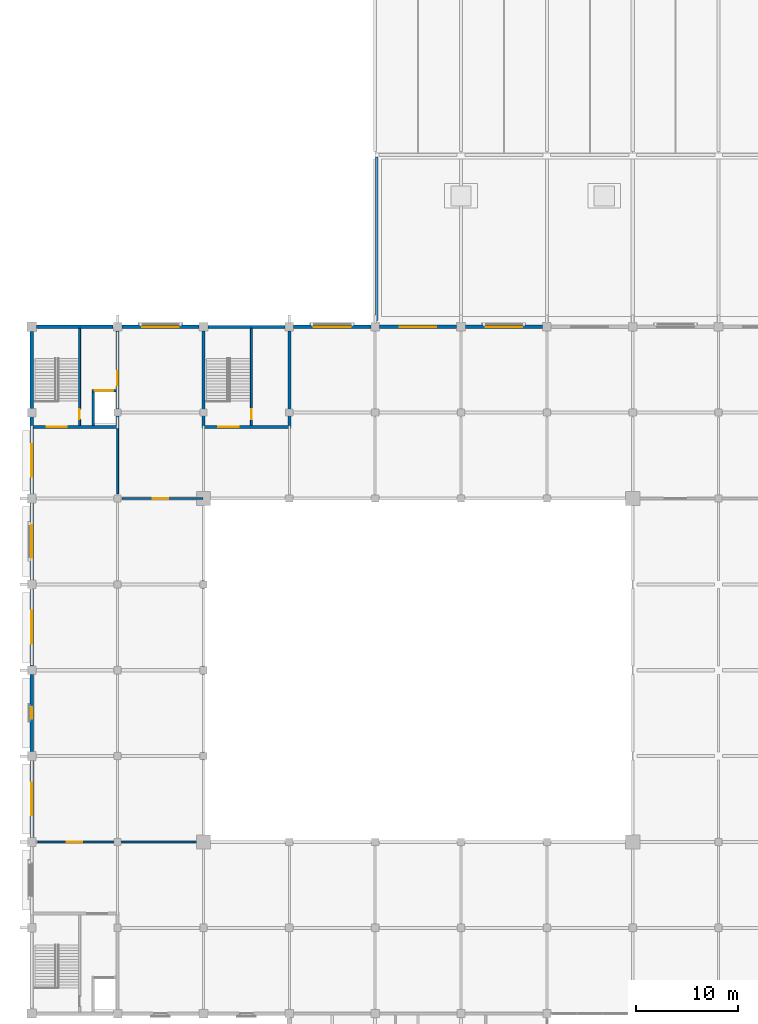
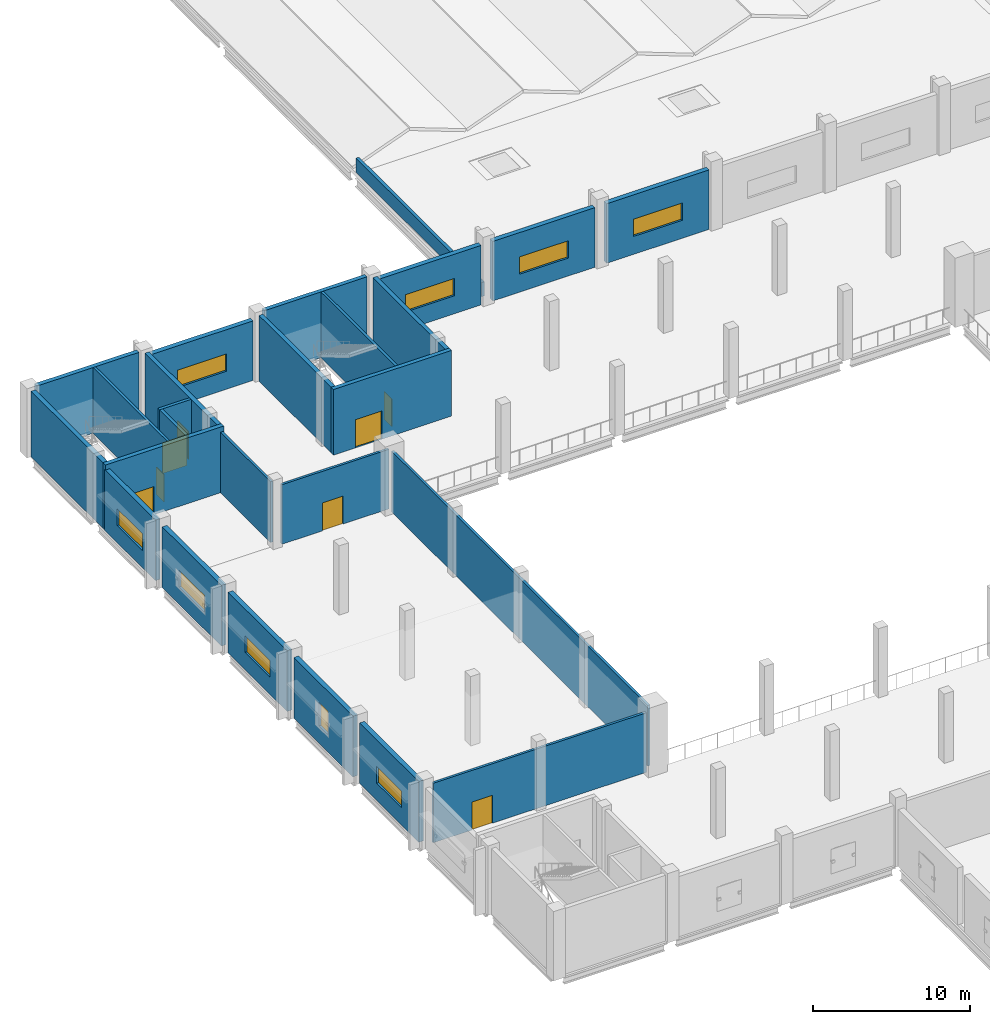
# One storey, part 54 of 72: 26 walls, 9 windows, 8 doors, 17 openings.
"""IFC4 building model written with IfcOpenShell, lengths in metres."""

from ifc_helpers import new_model, si_unit, direction, frame, frame_2d, origin, place, context, subcontext, project, spatial, rectangle, extrude, material, layer, layer_set, type_object, element, fill, save


model = new_model("IFC4")

# Units and contexts
model_context = context("Model", 3, precision=1e-05, world=origin(), true_north=direction((0.0, 1.0)))
body_context = subcontext(model_context, "Body", "Model", "MODEL_VIEW")
ifc_project = project(units=[si_unit("LENGTHUNIT", "METRE"), si_unit("AREAUNIT", "SQUARE_METRE"), si_unit("VOLUMEUNIT", "CUBIC_METRE"), si_unit("PLANEANGLEUNIT", "RADIAN"), si_unit("MASSUNIT", "GRAM", prefix="KILO")], contexts=[model_context])

# Site, building, storey
site_placement = place(None, origin())
site = spatial("IfcSite", under=ifc_project, at=site_placement, CompositionType="ELEMENT")
building_placement = place(site_placement, origin())
building = spatial("IfcBuilding", under=site, at=building_placement, Name="Qawsi Khor Wholesale Market", CompositionType="ELEMENT")
storey_placement = place(building_placement, frame((0.0, 0.0, 6.0)))
storey = spatial("IfcBuildingStorey", under=building, at=storey_placement, Name="L01", CompositionType="ELEMENT", Elevation=6.0)

# Wall, opening, door
ifc_material_1 = material(Name="Concrete C40/50", Category="concrete")
ifc_layer_1 = layer(ifc_material_1, 0.300048828125, Name="Concrete C40/50")
ifc_layer_set_1 = layer_set([ifc_layer_1], Name="Concrete C40/50")
wall_type_1 = type_object("IfcWallType", Name="Core Shear Wall RC 300 C40/50", PredefinedType="SHEAR", material=ifc_layer_set_1)
wall_1_placement = place(storey_placement, frame((25.35009765625, 99.39990234375, 0.0), z_axis=(0.0, 0.0, 1.0), x_axis=(-1.0, 0.0, 0.0)))
wall_1 = element("IfcWall", 1, at=wall_1_placement, inside=storey, type_object=wall_type_1, Name="Core C09 south shear wall L01", PredefinedType="SHEAR", context=body_context, shape_type="SweptSolid", body=[
    extrude(rectangle(XDim=8.7001953125, YDim=0.300048828125, at=frame_2d((4.35009765625, 0.0))), origin(), (0.0, 0.0, 1.0), 5.1201171875),
])
opening_1_placement = place(wall_1_placement, frame((5.1201171875, 0.0, 0.0)))
opening_1 = element("IfcOpeningElement", 2, at=opening_1_placement, cuts=wall_1, Name="Opening ID-01", PredefinedType="OPENING", context=body_context, shape_type="SweptSolid", body=[
    extrude(rectangle(XDim=1.9599609375, YDim=2.199951171875, at=frame_2d((0.97998046875, 1.10009765625))), frame((0.0, 0.159912109375, 0.0), z_axis=(0.0, -1.0, 0.0), x_axis=(1.0, 0.0, 0.0)), (0.0, 0.0, 1.0), 0.320068359375),
])
ifc_material_2 = material(Name="Steel Fire Door", Category="steel")
door_type_1 = type_object("IfcDoorType", Name="Stair & Core Fire Door 1960x2200 FD90S", OperationType="NOTDEFINED", PredefinedType="DOOR", material=ifc_material_2)
door_1_placement = place(opening_1_placement, origin())
door_1 = element("IfcDoor", 3, at=door_1_placement, inside=storey, type_object=door_type_1, Name="Core C09 fire door L01", OperationType="DOUBLE_DOOR_SINGLE_SWING", OverallHeight=2.199951171875, OverallWidth=1.9599609375, PredefinedType="DOOR", context=body_context, shape_type="SweptSolid", body=[
    extrude(rectangle(XDim=1.9599609375, YDim=2.199951171875, at=frame_2d((0.97998046875, 1.10009765625))), frame((0.0, 0.02490234375, 0.0), z_axis=(0.0, -1.0, 0.0), x_axis=(1.0, 0.0, 0.0)), (0.0, 0.0, 1.0), 0.050048828125),
])
fill(opening_1, door_1)

# Walls
wall_2_placement = place(storey_placement, frame((16.800048828125, 99.550048828125, 0.0), z_axis=(0.0, 0.0, 1.0), x_axis=(0.0, 1.0, 0.0)))
element("IfcWall", 4, at=wall_2_placement, inside=storey, type_object=wall_type_1, Name="Core C09 west shear wall L01", PredefinedType="SHEAR", context=body_context, shape_type="SweptSolid", body=[
    extrude(rectangle(XDim=9.219970703125, YDim=0.300048828125, at=frame_2d((4.60986328125, 0.0))), origin(), (0.0, 0.0, 1.0), 5.1201171875),
])
wall_3_placement = place(storey_placement, frame((17.22998046875, 109.199951171875, 0.0), z_axis=(0.0, 0.0, 1.0), x_axis=(1.0, 0.0, 0.0)))
element("IfcWall", 5, at=wall_3_placement, inside=storey, type_object=wall_type_1, Name="Core C09 north shear wall L01", PredefinedType="SHEAR", context=body_context, shape_type="SweptSolid", body=[
    extrude(rectangle(XDim=7.5400390625, YDim=0.300048828125, at=frame_2d((3.77001953125, 0.0))), origin(), (0.0, 0.0, 1.0), 5.1201171875),
])
wall_4_placement = place(storey_placement, frame((25.199951171875, 108.77001953125, 0.0), z_axis=(0.0, 0.0, 1.0), x_axis=(0.0, -1.0, 0.0)))
element("IfcWall", 6, at=wall_4_placement, inside=storey, type_object=wall_type_1, Name="Core C09 east shear wall L01", PredefinedType="SHEAR", context=body_context, shape_type="SweptSolid", body=[
    extrude(rectangle(XDim=9.219970703125, YDim=0.300048828125, at=frame_2d((4.60986328125, 0.0))), origin(), (0.0, 0.0, 1.0), 5.1201171875),
])

# Wall, opening, door
ifc_layer_2 = layer(ifc_material_1, 0.320068359375, Name="Concrete C40/50")
ifc_layer_set_2 = layer_set([ifc_layer_2], Name="Concrete C40/50")
wall_type_2 = type_object("IfcWallType", Name="Hall Lateral Shear Wall RC 320 C40/50", PredefinedType="SHEAR", material=ifc_layer_set_2)
wall_5_placement = place(storey_placement, frame((8.56005859375, 99.39990234375, 0.0), z_axis=(0.0, 0.0, 1.0), x_axis=(-1.0, 0.0, 0.0)))
wall_5 = element("IfcWall", 7, at=wall_5_placement, inside=storey, type_object=wall_type_2, Name="Core C08 south shear wall L01", PredefinedType="SHEAR", context=body_context, shape_type="SweptSolid", body=[
    extrude(rectangle(XDim=8.719970703125, YDim=0.320068359375, at=frame_2d((4.35986328125, 0.0))), origin(), (0.0, 0.0, 1.0), 5.1201171875),
])
opening_2_placement = place(wall_5_placement, frame((5.1298828125, 0.0, 0.0)))
opening_2 = element("IfcOpeningElement", 8, at=opening_2_placement, cuts=wall_5, Name="Opening ID-01", PredefinedType="OPENING", context=body_context, shape_type="SweptSolid", body=[
    extrude(rectangle(XDim=1.9599609375, YDim=2.199951171875, at=frame_2d((0.97998046875, 1.10009765625))), frame((0.0, 0.169921875, 0.0), z_axis=(0.0, -1.0, 0.0), x_axis=(1.0, 0.0, 0.0)), (0.0, 0.0, 1.0), 0.340087890625),
])
door_2_placement = place(opening_2_placement, origin())
door_2 = element("IfcDoor", 9, at=door_2_placement, inside=storey, type_object=door_type_1, Name="Core C08 fire door L01", OperationType="DOUBLE_DOOR_SINGLE_SWING", OverallHeight=2.199951171875, OverallWidth=1.9599609375, PredefinedType="DOOR", context=body_context, shape_type="SweptSolid", body=[
    extrude(rectangle(XDim=1.9599609375, YDim=2.199951171875, at=frame_2d((0.97998046875, 1.10009765625))), frame((0.0, 0.02490234375, 0.0), z_axis=(0.0, -1.0, 0.0), x_axis=(1.0, 0.0, 0.0)), (0.0, 0.0, 1.0), 0.050048828125),
])
fill(opening_2, door_2)

# Walls
wall_6_placement = place(storey_placement, frame((0.0, 99.56005859375, 0.0), z_axis=(0.0, 0.0, 1.0), x_axis=(0.0, 1.0, 0.0)))
element("IfcWall", 10, at=wall_6_placement, inside=storey, type_object=wall_type_2, Name="Core C08 west shear wall L01", PredefinedType="SHEAR", context=body_context, shape_type="SweptSolid", body=[
    extrude(rectangle(XDim=9.18505859375, YDim=0.320068359375, at=frame_2d((4.592529296875, 0.0))), origin(), (0.0, 0.0, 1.0), 5.1201171875),
])
wall_7_placement = place(storey_placement, frame((0.455078125, 109.199951171875, 0.0), z_axis=(0.0, 0.0, 1.0), x_axis=(1.0, 0.0, 0.0)))
element("IfcWall", 11, at=wall_7_placement, inside=storey, type_object=wall_type_2, Name="Core C08 north shear wall L01", PredefinedType="SHEAR", context=body_context, shape_type="SweptSolid", body=[
    extrude(rectangle(XDim=7.514892578125, YDim=0.320068359375, at=frame_2d((3.75732421875, 0.0))), origin(), (0.0, 0.0, 1.0), 5.1201171875),
])

# Wall, opening, door
wall_8_placement = place(storey_placement, frame((8.39990234375, 108.77001953125, 0.0), z_axis=(0.0, 0.0, 1.0), x_axis=(0.0, -1.0, 0.0)))
wall_8 = element("IfcWall", 12, at=wall_8_placement, inside=storey, type_object=wall_type_2, Name="Core C08 east shear wall L01", PredefinedType="SHEAR", context=body_context, shape_type="SweptSolid", body=[
    extrude(rectangle(XDim=9.2099609375, YDim=0.320068359375, at=frame_2d((4.60498046875, 0.0))), origin(), (0.0, 0.0, 1.0), 5.1201171875),
])
opening_3_placement = place(wall_8_placement, frame((3.905029296875, 0.0, 0.0)))
opening_3 = element("IfcOpeningElement", 13, at=opening_3_placement, cuts=wall_8, Name="Opening ID-02", PredefinedType="OPENING", context=body_context, shape_type="SweptSolid", body=[
    extrude(rectangle(XDim=1.39990234375, YDim=2.199951171875, at=frame_2d((0.699951171875, 1.10009765625))), frame((0.0, 0.169921875, 0.0), z_axis=(0.0, -1.0, 0.0), x_axis=(1.0, 0.0, 0.0)), (0.0, 0.0, 1.0), 0.340087890625),
])
door_type_2 = type_object("IfcDoorType", Name="Firefighting Lobby Door 1400x2200 FD60S", OperationType="NOTDEFINED", PredefinedType="DOOR", material=ifc_material_2)
door_3_placement = place(opening_3_placement, origin())
door_3 = element("IfcDoor", 14, at=door_3_placement, inside=storey, type_object=door_type_2, Name="Core C08 lift lobby door L01", OperationType="SINGLE_SWING_LEFT", OverallHeight=2.199951171875, OverallWidth=1.39990234375, PredefinedType="DOOR", context=body_context, shape_type="SweptSolid", body=[
    extrude(rectangle(XDim=1.39990234375, YDim=2.199951171875, at=frame_2d((0.699951171875, 1.10009765625))), frame((0.0, 0.02490234375, 0.0), z_axis=(0.0, -1.0, 0.0), x_axis=(1.0, 0.0, 0.0)), (0.0, 0.0, 1.0), 0.050048828125),
])
fill(opening_3, door_3)

ifc_material_3 = material(Name="Acoustic Gypsum & Mineral Wool", Category="gypsum")
ifc_layer_3 = layer(ifc_material_3, 0.179931640625, Name="Acoustic Gypsum & Mineral Wool")
ifc_layer_set_3 = layer_set([ifc_layer_3], Name="Acoustic Gypsum & Mineral Wool")
wall_type_3 = type_object("IfcWallType", Name="Laboratory Acoustic Partition 180", PredefinedType="PARTITIONING", material=ifc_layer_set_3)
wall_9_placement = place(storey_placement, frame((0.60009765625, 58.800048828125, 0.0), z_axis=(0.0, 0.0, 1.0), x_axis=(1.0, 0.0, 0.0)))
wall_9 = element("IfcWall", 15, at=wall_9_placement, inside=storey, type_object=wall_type_3, Name="PW-L01-117", PredefinedType="PARTITIONING", context=body_context, shape_type="SweptSolid", body=[
    extrude(rectangle(XDim=15.699951171875, YDim=0.179931640625, at=frame_2d((7.85009765625, 0.0))), origin(), (0.0, 0.0, 1.0), 4.639892578125),
])
opening_4_placement = place(wall_9_placement, frame((2.840087890625, 0.0, 0.0)))
opening_4 = element("IfcOpeningElement", 16, at=opening_4_placement, cuts=wall_9, Name="Opening ID-08", PredefinedType="OPENING", context=body_context, shape_type="SweptSolid", body=[
    extrude(rectangle(XDim=1.52001953125, YDim=2.179931640625, at=frame_2d((0.760009765625, 1.08984375))), frame((0.0, 0.099853515625, 0.0), z_axis=(0.0, -1.0, 0.0), x_axis=(1.0, 0.0, 0.0)), (0.0, 0.0, 1.0), 0.199951171875),
])
ifc_material_4 = material(Name="Powder-Coated Steel", Category="steel")
door_type_3 = type_object("IfcDoorType", Name="Laboratory Double Leaf Door 1520x2180 FD60S", OperationType="NOTDEFINED", PredefinedType="DOOR", material=ifc_material_4)
door_4_placement = place(opening_4_placement, origin())
door_4 = element("IfcDoor", 17, at=door_4_placement, inside=storey, type_object=door_type_3, Name="Laboratory Double Leaf Door 1520x2180 FD60S L01-128", OperationType="DOUBLE_DOOR_SINGLE_SWING", OverallHeight=2.179931640625, OverallWidth=1.52001953125, PredefinedType="DOOR", context=body_context, shape_type="SweptSolid", body=[
    extrude(rectangle(XDim=1.52001953125, YDim=2.179931640625, at=frame_2d((0.760009765625, 1.08984375))), frame((0.0, 0.02490234375, 0.0), z_axis=(0.0, -1.0, 0.0), x_axis=(1.0, 0.0, 0.0)), (0.0, 0.0, 1.0), 0.050048828125),
])
fill(opening_4, door_4)

wall_10_placement = place(storey_placement, frame((8.85009765625, 92.39990234375, 0.0), z_axis=(0.0, 0.0, 1.0), x_axis=(1.0, 0.0, 0.0)))
wall_10 = element("IfcWall", 18, at=wall_10_placement, inside=storey, type_object=wall_type_3, Name="PW-L01-118", PredefinedType="PARTITIONING", context=body_context, shape_type="SweptSolid", body=[
    extrude(rectangle(XDim=7.89990234375, YDim=0.179931640625, at=frame_2d((3.949951171875, 0.0))), origin(), (0.0, 0.0, 1.0), 4.639892578125),
])
opening_5_placement = place(wall_10_placement, frame((2.989990234375, 0.0, 0.0)))
opening_5 = element("IfcOpeningElement", 19, at=opening_5_placement, cuts=wall_10, Name="Opening ID-08", PredefinedType="OPENING", context=body_context, shape_type="SweptSolid", body=[
    extrude(rectangle(XDim=1.52001953125, YDim=2.179931640625, at=frame_2d((0.760009765625, 1.08984375))), frame((0.0, 0.099853515625, 0.0), z_axis=(0.0, -1.0, 0.0), x_axis=(1.0, 0.0, 0.0)), (0.0, 0.0, 1.0), 0.199951171875),
])
door_5_placement = place(opening_5_placement, origin())
door_5 = element("IfcDoor", 20, at=door_5_placement, inside=storey, type_object=door_type_3, Name="Laboratory Double Leaf Door 1520x2180 FD60S L01-129", OperationType="DOUBLE_DOOR_SINGLE_SWING", OverallHeight=2.179931640625, OverallWidth=1.52001953125, PredefinedType="DOOR", context=body_context, shape_type="SweptSolid", body=[
    extrude(rectangle(XDim=1.52001953125, YDim=2.179931640625, at=frame_2d((0.760009765625, 1.08984375))), frame((0.0, 0.02490234375, 0.0), z_axis=(0.0, -1.0, 0.0), x_axis=(1.0, 0.0, 0.0)), (0.0, 0.0, 1.0), 0.050048828125),
])
fill(opening_5, door_5)

# Walls
wall_11_placement = place(storey_placement, frame((8.39990234375, 92.85009765625, 0.0), z_axis=(0.0, 0.0, 1.0), x_axis=(0.0, 1.0, 0.0)))
element("IfcWall", 21, at=wall_11_placement, inside=storey, type_object=wall_type_3, Name="PW-L01-119", PredefinedType="PARTITIONING", context=body_context, shape_type="SweptSolid", body=[
    extrude(rectangle(XDim=6.369873046875, YDim=0.179931640625, at=frame_2d((3.18505859375, 0.0))), origin(), (0.0, 0.0, 1.0), 4.72998046875),
])
wall_12_placement = place(storey_placement, frame((16.800048828125, 59.25, 0.0), z_axis=(0.0, 0.0, 1.0), x_axis=(0.0, 1.0, 0.0)))
element("IfcWall", 22, at=wall_12_placement, inside=storey, type_object=wall_type_3, Name="PW-L01-120", PredefinedType="PARTITIONING", context=body_context, shape_type="SweptSolid", body=[
    extrude(rectangle(XDim=32.699951171875, YDim=0.179931640625, at=frame_2d((16.35009765625, 0.0))), origin(), (0.0, 0.0, 1.0), 4.72998046875),
])
ifc_layer_4 = layer(ifc_material_1, 0.219970703125, Name="Concrete C40/50")
ifc_layer_set_4 = layer_set([ifc_layer_4], Name="Concrete C40/50")
wall_type_4 = type_object("IfcWallType", Name="Lift & Stair Shaft Wall RC 220", PredefinedType="SOLIDWALL", material=ifc_layer_set_4)
wall_13_placement = place(storey_placement, frame((6.010009765625, 99.56005859375, 0.0), z_axis=(0.0, 0.0, 1.0), x_axis=(0.0, 1.0, 0.0)))
element("IfcWall", 23, at=wall_13_placement, inside=storey, type_object=wall_type_4, Name="Lift GL-02 shaft wall W L01", PredefinedType="SOLIDWALL", context=body_context, shape_type="SweptSolid", body=[
    extrude(rectangle(XDim=3.389892578125, YDim=0.219970703125, at=frame_2d((1.69482421875, 0.0))), origin(), (0.0, 0.0, 1.0), 5.1201171875),
])

# Wall, opening, door
wall_14_placement = place(storey_placement, frame((5.89990234375, 102.949951171875, 0.0), z_axis=(0.0, 0.0, 1.0), x_axis=(1.0, 0.0, 0.0)))
wall_14 = element("IfcWall", 24, at=wall_14_placement, inside=storey, type_object=wall_type_4, Name="Lift GL-02 shaft wall N L01", PredefinedType="SOLIDWALL", context=body_context, shape_type="SweptSolid", body=[
    extrude(rectangle(XDim=2.340087890625, YDim=0.219970703125, at=frame_2d((1.169921875, 0.0))), origin(), (0.0, 0.0, 1.0), 5.1201171875),
])
opening_6_placement = place(wall_14_placement, frame((0.260009765625, 0.0, 0.0)))
opening_6 = element("IfcOpeningElement", 25, at=opening_6_placement, cuts=wall_14, Name="Opening LD-G180", PredefinedType="OPENING", context=body_context, shape_type="SweptSolid", body=[
    extrude(rectangle(XDim=1.820068359375, YDim=2.39990234375, at=frame_2d((0.91015625, 1.199951171875))), frame((0.0, 0.119873046875, 0.0), z_axis=(0.0, -1.0, 0.0), x_axis=(1.0, 0.0, 0.0)), (0.0, 0.0, 1.0), 0.239990234375),
])
ifc_material_5 = material(Name="Heavy-Duty Stainless Steel", Category="steel")
door_type_4 = type_object("IfcDoorType", Name="Goods Lift Landing Sliding Door 1820x2400 FD90S", OperationType="NOTDEFINED", PredefinedType="DOOR", material=ifc_material_5)
door_6_placement = place(opening_6_placement, origin())
door_6 = element("IfcDoor", 26, at=door_6_placement, inside=storey, type_object=door_type_4, Name="Lift GL-02 landing door L01", OperationType="SLIDING_TO_RIGHT", OverallHeight=2.39990234375, OverallWidth=1.820068359375, PredefinedType="DOOR", context=body_context, shape_type="SweptSolid", body=[
    extrude(rectangle(XDim=1.820068359375, YDim=2.39990234375, at=frame_2d((0.91015625, 1.199951171875))), frame((0.0, 0.02490234375, 0.0), z_axis=(0.0, -1.0, 0.0), x_axis=(1.0, 0.0, 0.0)), (0.0, 0.0, 1.0), 0.050048828125),
])
fill(opening_6, door_6)

# Wall
ifc_layer_5 = layer(ifc_material_1, 0.22998046875, Name="Concrete C40/50")
ifc_layer_set_5 = layer_set([ifc_layer_5], Name="Concrete C40/50")
wall_type_5 = type_object("IfcWallType", Name="Roof Parapet Upstand Wall 230", PredefinedType="PARAPET", material=ifc_layer_set_5)
wall_15_placement = place(storey_placement, frame((33.75, 109.800048828125, 0.0), z_axis=(0.0, 0.0, 1.0), x_axis=(0.0, 1.0, 0.0)))
element("IfcWall", 27, at=wall_15_placement, inside=storey, type_object=wall_type_5, Name="Roof parapet PRP-L01-NWC-W", PredefinedType="PARAPET", context=body_context, shape_type="SweptSolid", body=[
    extrude(rectangle(XDim=16.0, YDim=0.22998046875, at=frame_2d((8.0, 0.0))), origin(), (0.0, 0.0, 1.0), 1.10009765625),
])

# Wall, opening, door
ifc_layer_6 = layer(ifc_material_1, 0.18994140625, Name="Concrete C40/50")
ifc_layer_set_6 = layer_set([ifc_layer_6], Name="Concrete C40/50")
wall_type_6 = type_object("IfcWallType", Name="Stairwell Enclosure Wall RC 190", PredefinedType="SOLIDWALL", material=ifc_layer_set_6)
wall_16_placement = place(storey_placement, frame((4.679931640625, 99.56005859375, 0.0), z_axis=(0.0, 0.0, 1.0), x_axis=(0.0, 1.0, 0.0)))
wall_16 = element("IfcWall", 28, at=wall_16_placement, inside=storey, type_object=wall_type_6, Name="Core C08 stairwell enclosure wall L01", PredefinedType="SOLIDWALL", context=body_context, shape_type="SweptSolid", body=[
    extrude(rectangle(XDim=9.47998046875, YDim=0.18994140625, at=frame_2d((4.739990234375, 0.0))), origin(), (0.0, 0.0, 1.0), 5.1201171875),
])
opening_7_placement = place(wall_16_placement, frame((0.580078125, 0.0, 0.0)))
opening_7 = element("IfcOpeningElement", 29, at=opening_7_placement, cuts=wall_16, Name="Opening ID-17", PredefinedType="OPENING", context=body_context, shape_type="SweptSolid", body=[
    extrude(rectangle(XDim=0.97998046875, YDim=2.14990234375, at=frame_2d((0.489990234375, 1.074951171875))), frame((0.0, 0.10498046875, 0.0), z_axis=(0.0, -1.0, 0.0), x_axis=(1.0, 0.0, 0.0)), (0.0, 0.0, 1.0), 0.2099609375),
])
door_type_5 = type_object("IfcDoorType", Name="Core Stair Lobby Fire Door 980x2150 FD120S", OperationType="NOTDEFINED", PredefinedType="DOOR", material=ifc_material_2)
door_7_placement = place(opening_7_placement, origin())
door_7 = element("IfcDoor", 30, at=door_7_placement, inside=storey, type_object=door_type_5, Name="Core C08 stair enclosure fire door L01", OperationType="SINGLE_SWING_LEFT", OverallHeight=2.14990234375, OverallWidth=0.97998046875, PredefinedType="DOOR", context=body_context, shape_type="SweptSolid", body=[
    extrude(rectangle(XDim=0.97998046875, YDim=2.14990234375, at=frame_2d((0.489990234375, 1.074951171875))), frame((0.0, 0.02490234375, 0.0), z_axis=(0.0, -1.0, 0.0), x_axis=(1.0, 0.0, 0.0)), (0.0, 0.0, 1.0), 0.050048828125),
])
fill(opening_7, door_7)

wall_17_placement = place(storey_placement, frame((21.47998046875, 99.56005859375, 0.0), z_axis=(0.0, 0.0, 1.0), x_axis=(0.0, 1.0, 0.0)))
wall_17 = element("IfcWall", 31, at=wall_17_placement, inside=storey, type_object=wall_type_6, Name="Core C09 stairwell enclosure wall L01", PredefinedType="SOLIDWALL", context=body_context, shape_type="SweptSolid", body=[
    extrude(rectangle(XDim=9.47998046875, YDim=0.18994140625, at=frame_2d((4.739990234375, 0.0))), origin(), (0.0, 0.0, 1.0), 5.1201171875),
])
opening_8_placement = place(wall_17_placement, frame((0.580078125, 0.0, 0.0)))
opening_8 = element("IfcOpeningElement", 32, at=opening_8_placement, cuts=wall_17, Name="Opening ID-17", PredefinedType="OPENING", context=body_context, shape_type="SweptSolid", body=[
    extrude(rectangle(XDim=0.97998046875, YDim=2.14990234375, at=frame_2d((0.489990234375, 1.074951171875))), frame((0.0, 0.10498046875, 0.0), z_axis=(0.0, -1.0, 0.0), x_axis=(1.0, 0.0, 0.0)), (0.0, 0.0, 1.0), 0.2099609375),
])
door_8_placement = place(opening_8_placement, origin())
door_8 = element("IfcDoor", 33, at=door_8_placement, inside=storey, type_object=door_type_5, Name="Core C09 stair enclosure fire door L01", OperationType="SINGLE_SWING_LEFT", OverallHeight=2.14990234375, OverallWidth=0.97998046875, PredefinedType="DOOR", context=body_context, shape_type="SweptSolid", body=[
    extrude(rectangle(XDim=0.97998046875, YDim=2.14990234375, at=frame_2d((0.489990234375, 1.074951171875))), frame((0.0, 0.02490234375, 0.0), z_axis=(0.0, -1.0, 0.0), x_axis=(1.0, 0.0, 0.0)), (0.0, 0.0, 1.0), 0.050048828125),
])
fill(opening_8, door_8)

# Wall, opening, window
ifc_layer_7 = layer(ifc_material_1, 0.35009765625, Name="Concrete C40/50")
ifc_layer_set_7 = layer_set([ifc_layer_7], Name="Concrete C40/50")
wall_type_7 = type_object("IfcWallType", Name="Trading Hall Precast Concrete Wall 350", PredefinedType="SOLIDWALL", material=ifc_layer_set_7)
wall_18_placement = place(storey_placement, frame((0.0, 59.22998046875, 0.0), z_axis=(0.0, 0.0, 1.0), x_axis=(0.0, 1.0, 0.0)))
wall_18 = element("IfcWall", 34, at=wall_18_placement, inside=storey, type_object=wall_type_7, Name="EW-L01-WHW-07", PredefinedType="SOLIDWALL", context=body_context, shape_type="SweptSolid", body=[
    extrude(rectangle(XDim=7.5400390625, YDim=0.35009765625, at=frame_2d((3.77001953125, 0.0))), origin(), (0.0, 0.0, 1.0), 4.72998046875),
])
opening_9_placement = place(wall_18_placement, frame((2.169921875, 0.0, 1.35009765625)))
opening_9 = element("IfcOpeningElement", 35, at=opening_9_placement, cuts=wall_18, Name="Opening W-13", PredefinedType="OPENING", context=body_context, shape_type="SweptSolid", body=[
    extrude(rectangle(XDim=3.199951171875, YDim=1.300048828125, at=frame_2d((1.60009765625, 0.64990234375))), frame((0.0, 0.18505859375, 0.0), z_axis=(0.0, -1.0, 0.0), x_axis=(1.0, 0.0, 0.0)), (0.0, 0.0, 1.0), 0.3701171875),
])
ifc_material_6 = material(Name="Thermally Broken Aluminium & Low-E Glass", Category="aluminium")
window_type_1 = type_object("IfcWindowType", Name="Win W-13 Hall East/West Clerestory 3200x1300", PartitioningType="SINGLE_PANEL", PredefinedType="WINDOW", material=ifc_material_6)
window_1_placement = place(opening_9_placement, origin())
window_1 = element("IfcWindow", 36, at=window_1_placement, inside=storey, type_object=window_type_1, Name="Win W-13 Hall East/West Clerestory 3200x1300 149", OverallHeight=1.300048828125, OverallWidth=3.199951171875, PartitioningType="SINGLE_PANEL", PredefinedType="WINDOW", context=body_context, shape_type="SweptSolid", body=[
    extrude(rectangle(XDim=3.199951171875, YDim=1.300048828125, at=frame_2d((1.60009765625, 0.64990234375))), frame((0.0, 0.030029296875, 0.0), z_axis=(0.0, -1.0, 0.0), x_axis=(1.0, 0.0, 0.0)), (0.0, 0.0, 1.0), 0.06005859375),
])
fill(opening_9, window_1)

wall_19_placement = place(storey_placement, frame((0.0, 67.6298828125, 0.0), z_axis=(0.0, 0.0, 1.0), x_axis=(0.0, 1.0, 0.0)))
wall_19 = element("IfcWall", 37, at=wall_19_placement, inside=storey, type_object=wall_type_7, Name="EW-L01-WHW-08", PredefinedType="SOLIDWALL", context=body_context, shape_type="SweptSolid", body=[
    extrude(rectangle(XDim=7.5400390625, YDim=0.35009765625, at=frame_2d((3.77001953125, 0.0))), origin(), (0.0, 0.0, 1.0), 4.72998046875),
])
opening_10_placement = place(wall_19_placement, frame((3.2099609375, 0.0, 1.35009765625)))
opening_10 = element("IfcOpeningElement", 38, at=opening_10_placement, cuts=wall_19, Name="Opening W-21", PredefinedType="OPENING", context=body_context, shape_type="SweptSolid", body=[
    extrude(rectangle(XDim=1.1201171875, YDim=1.85009765625, at=frame_2d((0.56005859375, 0.925048828125))), frame((0.0, 0.18505859375, 0.0), z_axis=(0.0, -1.0, 0.0), x_axis=(1.0, 0.0, 0.0)), (0.0, 0.0, 1.0), 0.3701171875),
])
window_type_2 = type_object("IfcWindowType", Name="Win W-21 Produce Mezzanine Slot 1120x1850", PartitioningType="SINGLE_PANEL", PredefinedType="WINDOW", material=ifc_material_6)
window_2_placement = place(opening_10_placement, origin())
window_2 = element("IfcWindow", 39, at=window_2_placement, inside=storey, type_object=window_type_2, Name="Win W-21 Produce Mezzanine Slot 1120x1850 150", OverallHeight=1.85009765625, OverallWidth=1.1201171875, PartitioningType="SINGLE_PANEL", PredefinedType="WINDOW", context=body_context, shape_type="SweptSolid", body=[
    extrude(rectangle(XDim=1.1201171875, YDim=1.85009765625, at=frame_2d((0.56005859375, 0.925048828125))), frame((0.0, 0.030029296875, 0.0), z_axis=(0.0, -1.0, 0.0), x_axis=(1.0, 0.0, 0.0)), (0.0, 0.0, 1.0), 0.06005859375),
])
fill(opening_10, window_2)

wall_20_placement = place(storey_placement, frame((0.0, 76.030029296875, 0.0), z_axis=(0.0, 0.0, 1.0), x_axis=(0.0, 1.0, 0.0)))
wall_20 = element("IfcWall", 40, at=wall_20_placement, inside=storey, type_object=wall_type_7, Name="EW-L01-WHW-09", PredefinedType="SOLIDWALL", context=body_context, shape_type="SweptSolid", body=[
    extrude(rectangle(XDim=7.5400390625, YDim=0.35009765625, at=frame_2d((3.77001953125, 0.0))), origin(), (0.0, 0.0, 1.0), 4.72998046875),
])
opening_11_placement = place(wall_20_placement, frame((2.169921875, 0.0, 1.35009765625)))
opening_11 = element("IfcOpeningElement", 41, at=opening_11_placement, cuts=wall_20, Name="Opening W-13", PredefinedType="OPENING", context=body_context, shape_type="SweptSolid", body=[
    extrude(rectangle(XDim=3.199951171875, YDim=1.300048828125, at=frame_2d((1.60009765625, 0.64990234375))), frame((0.0, 0.18505859375, 0.0), z_axis=(0.0, -1.0, 0.0), x_axis=(1.0, 0.0, 0.0)), (0.0, 0.0, 1.0), 0.3701171875),
])
window_3_placement = place(opening_11_placement, origin())
window_3 = element("IfcWindow", 42, at=window_3_placement, inside=storey, type_object=window_type_1, Name="Win W-13 Hall East/West Clerestory 3200x1300 151", OverallHeight=1.300048828125, OverallWidth=3.199951171875, PartitioningType="SINGLE_PANEL", PredefinedType="WINDOW", context=body_context, shape_type="SweptSolid", body=[
    extrude(rectangle(XDim=3.199951171875, YDim=1.300048828125, at=frame_2d((1.60009765625, 0.64990234375))), frame((0.0, 0.030029296875, 0.0), z_axis=(0.0, -1.0, 0.0), x_axis=(1.0, 0.0, 0.0)), (0.0, 0.0, 1.0), 0.06005859375),
])
fill(opening_11, window_3)

wall_21_placement = place(storey_placement, frame((0.0, 84.429931640625, 0.0), z_axis=(0.0, 0.0, 1.0), x_axis=(0.0, 1.0, 0.0)))
wall_21 = element("IfcWall", 43, at=wall_21_placement, inside=storey, type_object=wall_type_7, Name="EW-L01-WHW-10", PredefinedType="SOLIDWALL", context=body_context, shape_type="SweptSolid", body=[
    extrude(rectangle(XDim=7.5400390625, YDim=0.35009765625, at=frame_2d((3.77001953125, 0.0))), origin(), (0.0, 0.0, 1.0), 4.72998046875),
])
opening_12_placement = place(wall_21_placement, frame((2.169921875, 0.0, 1.35009765625)))
opening_12 = element("IfcOpeningElement", 44, at=opening_12_placement, cuts=wall_21, Name="Opening W-13", PredefinedType="OPENING", context=body_context, shape_type="SweptSolid", body=[
    extrude(rectangle(XDim=3.199951171875, YDim=1.300048828125, at=frame_2d((1.60009765625, 0.64990234375))), frame((0.0, 0.18505859375, 0.0), z_axis=(0.0, -1.0, 0.0), x_axis=(1.0, 0.0, 0.0)), (0.0, 0.0, 1.0), 0.3701171875),
])
window_4_placement = place(opening_12_placement, origin())
window_4 = element("IfcWindow", 45, at=window_4_placement, inside=storey, type_object=window_type_1, Name="Win W-13 Hall East/West Clerestory 3200x1300 152", OverallHeight=1.300048828125, OverallWidth=3.199951171875, PartitioningType="SINGLE_PANEL", PredefinedType="WINDOW", context=body_context, shape_type="SweptSolid", body=[
    extrude(rectangle(XDim=3.199951171875, YDim=1.300048828125, at=frame_2d((1.60009765625, 0.64990234375))), frame((0.0, 0.030029296875, 0.0), z_axis=(0.0, -1.0, 0.0), x_axis=(1.0, 0.0, 0.0)), (0.0, 0.0, 1.0), 0.06005859375),
])
fill(opening_12, window_4)

wall_22_placement = place(storey_placement, frame((0.0, 92.830078125, 0.0), z_axis=(0.0, 0.0, 1.0), x_axis=(0.0, 1.0, 0.0)))
wall_22 = element("IfcWall", 46, at=wall_22_placement, inside=storey, type_object=wall_type_7, Name="EW-L01-WHW-11", PredefinedType="SOLIDWALL", context=body_context, shape_type="SweptSolid", body=[
    extrude(rectangle(XDim=6.52001953125, YDim=0.35009765625, at=frame_2d((3.260009765625, 0.0))), origin(), (0.0, 0.0, 1.0), 4.72998046875),
])
opening_13_placement = place(wall_22_placement, frame((1.68505859375, 0.0, 1.35009765625)))
opening_13 = element("IfcOpeningElement", 47, at=opening_13_placement, cuts=wall_22, Name="Opening W-13", PredefinedType="OPENING", context=body_context, shape_type="SweptSolid", body=[
    extrude(rectangle(XDim=3.199951171875, YDim=1.300048828125, at=frame_2d((1.60009765625, 0.64990234375))), frame((0.0, 0.18505859375, 0.0), z_axis=(0.0, -1.0, 0.0), x_axis=(1.0, 0.0, 0.0)), (0.0, 0.0, 1.0), 0.3701171875),
])
window_5_placement = place(opening_13_placement, origin())
window_5 = element("IfcWindow", 48, at=window_5_placement, inside=storey, type_object=window_type_1, Name="Win W-13 Hall East/West Clerestory 3200x1300 153", OverallHeight=1.300048828125, OverallWidth=3.199951171875, PartitioningType="SINGLE_PANEL", PredefinedType="WINDOW", context=body_context, shape_type="SweptSolid", body=[
    extrude(rectangle(XDim=3.199951171875, YDim=1.300048828125, at=frame_2d((1.60009765625, 0.64990234375))), frame((0.0, 0.030029296875, 0.0), z_axis=(0.0, -1.0, 0.0), x_axis=(1.0, 0.0, 0.0)), (0.0, 0.0, 1.0), 0.06005859375),
])
fill(opening_13, window_5)

wall_23_placement = place(storey_placement, frame((8.830078125, 109.199951171875, 0.0), z_axis=(0.0, 0.0, 1.0), x_axis=(1.0, 0.0, 0.0)))
wall_23 = element("IfcWall", 49, at=wall_23_placement, inside=storey, type_object=wall_type_7, Name="EW-L01-WHN-01", PredefinedType="SOLIDWALL", context=body_context, shape_type="SweptSolid", body=[
    extrude(rectangle(XDim=7.5400390625, YDim=0.35009765625, at=frame_2d((3.77001953125, 0.0))), origin(), (0.0, 0.0, 1.0), 4.639892578125),
])
opening_14_placement = place(wall_23_placement, frame((1.969970703125, 0.0, 1.39990234375)))
opening_14 = element("IfcOpeningElement", 50, at=opening_14_placement, cuts=wall_23, Name="Opening W-12", PredefinedType="OPENING", context=body_context, shape_type="SweptSolid", body=[
    extrude(rectangle(XDim=3.60009765625, YDim=1.35009765625, at=frame_2d((1.800048828125, 0.675048828125))), frame((0.0, 0.18505859375, 0.0), z_axis=(0.0, -1.0, 0.0), x_axis=(1.0, 0.0, 0.0)), (0.0, 0.0, 1.0), 0.3701171875),
])
window_type_3 = type_object("IfcWindowType", Name="Win W-12 Hall North Clerestory 3600x1350", PartitioningType="SINGLE_PANEL", PredefinedType="WINDOW", material=ifc_material_6)
window_6_placement = place(opening_14_placement, origin())
window_6 = element("IfcWindow", 51, at=window_6_placement, inside=storey, type_object=window_type_3, Name="Win W-12 Hall North Clerestory 3600x1350 156", OverallHeight=1.35009765625, OverallWidth=3.60009765625, PartitioningType="SINGLE_PANEL", PredefinedType="WINDOW", context=body_context, shape_type="SweptSolid", body=[
    extrude(rectangle(XDim=3.60009765625, YDim=1.35009765625, at=frame_2d((1.800048828125, 0.675048828125))), frame((0.0, 0.030029296875, 0.0), z_axis=(0.0, -1.0, 0.0), x_axis=(1.0, 0.0, 0.0)), (0.0, 0.0, 1.0), 0.06005859375),
])
fill(opening_14, window_6)

wall_24_placement = place(storey_placement, frame((25.6298828125, 109.199951171875, 0.0), z_axis=(0.0, 0.0, 1.0), x_axis=(1.0, 0.0, 0.0)))
wall_24 = element("IfcWall", 52, at=wall_24_placement, inside=storey, type_object=wall_type_7, Name="EW-L01-WHN-03", PredefinedType="SOLIDWALL", context=body_context, shape_type="SweptSolid", body=[
    extrude(rectangle(XDim=7.5400390625, YDim=0.35009765625, at=frame_2d((3.77001953125, 0.0))), origin(), (0.0, 0.0, 1.0), 4.639892578125),
])
opening_15_placement = place(wall_24_placement, frame((1.969970703125, 0.0, 1.39990234375)))
opening_15 = element("IfcOpeningElement", 53, at=opening_15_placement, cuts=wall_24, Name="Opening W-12", PredefinedType="OPENING", context=body_context, shape_type="SweptSolid", body=[
    extrude(rectangle(XDim=3.60009765625, YDim=1.35009765625, at=frame_2d((1.800048828125, 0.675048828125))), frame((0.0, 0.18505859375, 0.0), z_axis=(0.0, -1.0, 0.0), x_axis=(1.0, 0.0, 0.0)), (0.0, 0.0, 1.0), 0.3701171875),
])
window_7_placement = place(opening_15_placement, origin())
window_7 = element("IfcWindow", 54, at=window_7_placement, inside=storey, type_object=window_type_3, Name="Win W-12 Hall North Clerestory 3600x1350 157", OverallHeight=1.35009765625, OverallWidth=3.60009765625, PartitioningType="SINGLE_PANEL", PredefinedType="WINDOW", context=body_context, shape_type="SweptSolid", body=[
    extrude(rectangle(XDim=3.60009765625, YDim=1.35009765625, at=frame_2d((1.800048828125, 0.675048828125))), frame((0.0, 0.030029296875, 0.0), z_axis=(0.0, -1.0, 0.0), x_axis=(1.0, 0.0, 0.0)), (0.0, 0.0, 1.0), 0.06005859375),
])
fill(opening_15, window_7)

wall_25_placement = place(storey_placement, frame((34.030029296875, 109.199951171875, 0.0), z_axis=(0.0, 0.0, 1.0), x_axis=(1.0, 0.0, 0.0)))
wall_25 = element("IfcWall", 55, at=wall_25_placement, inside=storey, type_object=wall_type_7, Name="EW-L01-WHN-04", PredefinedType="SOLIDWALL", context=body_context, shape_type="SweptSolid", body=[
    extrude(rectangle(XDim=7.5400390625, YDim=0.35009765625, at=frame_2d((3.77001953125, 0.0))), origin(), (0.0, 0.0, 1.0), 4.639892578125),
])
opening_16_placement = place(wall_25_placement, frame((1.969970703125, 0.0, 1.39990234375)))
opening_16 = element("IfcOpeningElement", 56, at=opening_16_placement, cuts=wall_25, Name="Opening W-12", PredefinedType="OPENING", context=body_context, shape_type="SweptSolid", body=[
    extrude(rectangle(XDim=3.60009765625, YDim=1.35009765625, at=frame_2d((1.800048828125, 0.675048828125))), frame((0.0, 0.18505859375, 0.0), z_axis=(0.0, -1.0, 0.0), x_axis=(1.0, 0.0, 0.0)), (0.0, 0.0, 1.0), 0.3701171875),
])
window_8_placement = place(opening_16_placement, origin())
window_8 = element("IfcWindow", 57, at=window_8_placement, inside=storey, type_object=window_type_3, Name="Win W-12 Hall North Clerestory 3600x1350 158", OverallHeight=1.35009765625, OverallWidth=3.60009765625, PartitioningType="SINGLE_PANEL", PredefinedType="WINDOW", context=body_context, shape_type="SweptSolid", body=[
    extrude(rectangle(XDim=3.60009765625, YDim=1.35009765625, at=frame_2d((1.800048828125, 0.675048828125))), frame((0.0, 0.030029296875, 0.0), z_axis=(0.0, -1.0, 0.0), x_axis=(1.0, 0.0, 0.0)), (0.0, 0.0, 1.0), 0.06005859375),
])
fill(opening_16, window_8)

wall_26_placement = place(storey_placement, frame((42.429931640625, 109.199951171875, 0.0), z_axis=(0.0, 0.0, 1.0), x_axis=(1.0, 0.0, 0.0)))
wall_26 = element("IfcWall", 58, at=wall_26_placement, inside=storey, type_object=wall_type_7, Name="EW-L01-WHN-05", PredefinedType="SOLIDWALL", context=body_context, shape_type="SweptSolid", body=[
    extrude(rectangle(XDim=7.5400390625, YDim=0.35009765625, at=frame_2d((3.77001953125, 0.0))), origin(), (0.0, 0.0, 1.0), 4.639892578125),
])
opening_17_placement = place(wall_26_placement, frame((1.969970703125, 0.0, 1.39990234375)))
opening_17 = element("IfcOpeningElement", 59, at=opening_17_placement, cuts=wall_26, Name="Opening W-12", PredefinedType="OPENING", context=body_context, shape_type="SweptSolid", body=[
    extrude(rectangle(XDim=3.60009765625, YDim=1.35009765625, at=frame_2d((1.800048828125, 0.675048828125))), frame((0.0, 0.18505859375, 0.0), z_axis=(0.0, -1.0, 0.0), x_axis=(1.0, 0.0, 0.0)), (0.0, 0.0, 1.0), 0.3701171875),
])
window_9_placement = place(opening_17_placement, origin())
window_9 = element("IfcWindow", 60, at=window_9_placement, inside=storey, type_object=window_type_3, Name="Win W-12 Hall North Clerestory 3600x1350 159", OverallHeight=1.35009765625, OverallWidth=3.60009765625, PartitioningType="SINGLE_PANEL", PredefinedType="WINDOW", context=body_context, shape_type="SweptSolid", body=[
    extrude(rectangle(XDim=3.60009765625, YDim=1.35009765625, at=frame_2d((1.800048828125, 0.675048828125))), frame((0.0, 0.030029296875, 0.0), z_axis=(0.0, -1.0, 0.0), x_axis=(1.0, 0.0, 0.0)), (0.0, 0.0, 1.0), 0.06005859375),
])
fill(opening_17, window_9)

save(model, "model.ifc")
